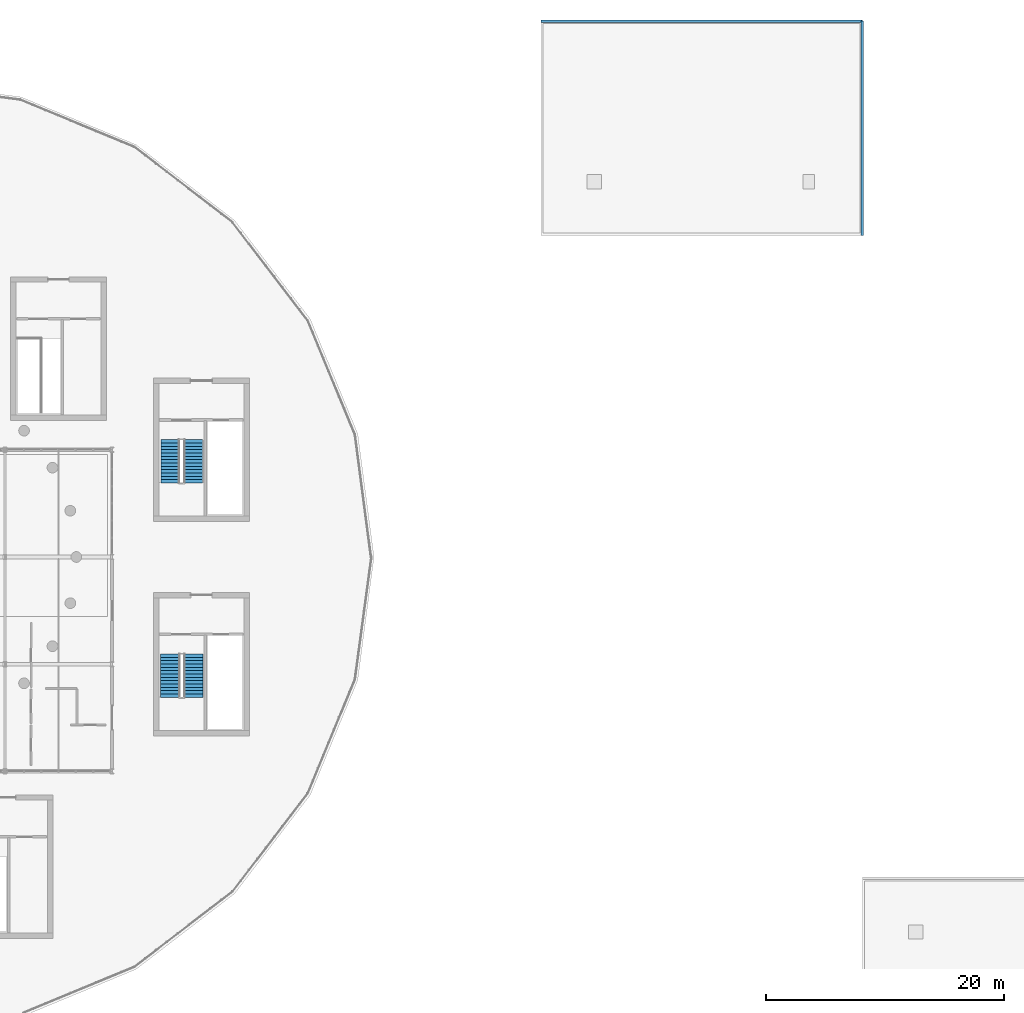
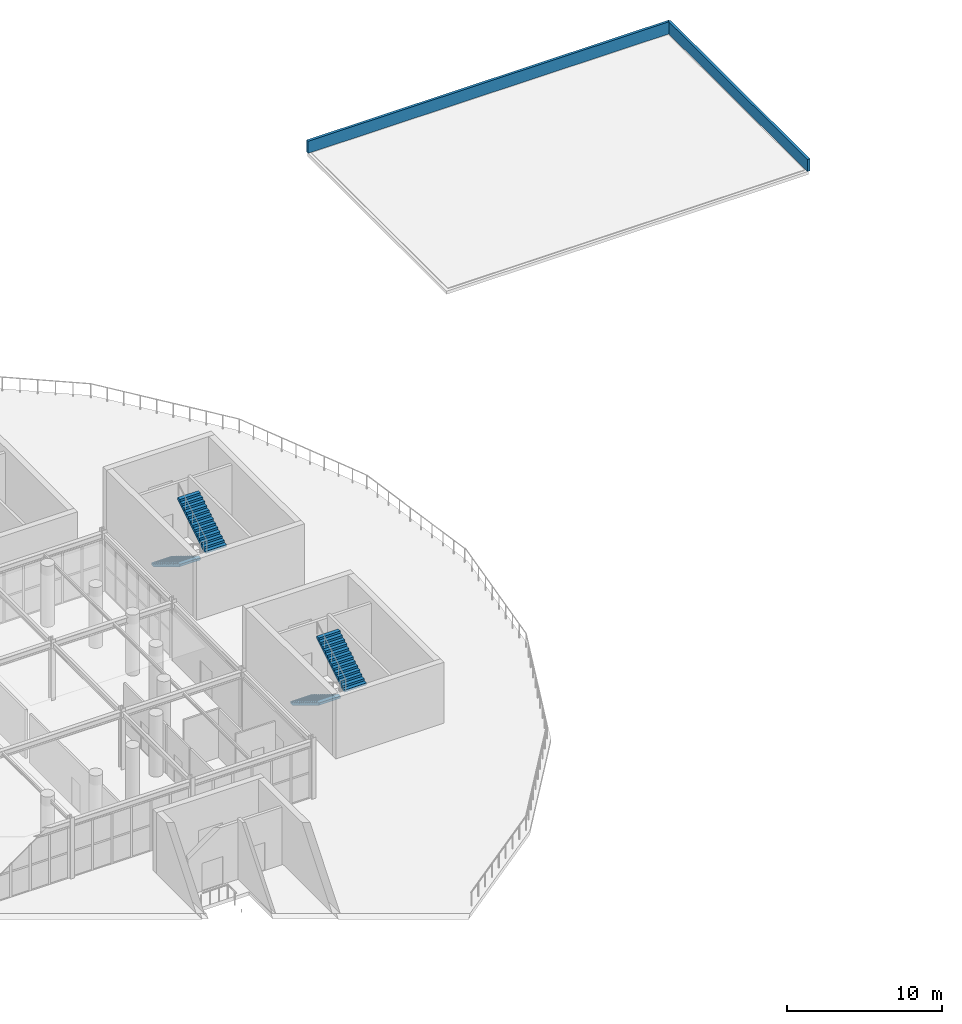
# One storey, part 24 of 29: 4 stair flights, 2 walls, 2 elements without a shape of their own.
"""IFC4 building model written with IfcOpenShell, lengths in metres."""

from ifc_helpers import new_model, si_unit, direction, frame, frame_2d, origin, place, context, subcontext, project, spatial, polyline, rectangle, outline, extrude, material, layer, layer_set, type_object, element, aggregate, save


model = new_model("IFC4")

# Units and contexts
model_context = context("Model", 3, precision=1e-05, world=origin(), true_north=direction((0.0, 1.0)))
body_context = subcontext(model_context, "Body", "Model", "MODEL_VIEW")
ifc_project = project(units=[si_unit("LENGTHUNIT", "METRE"), si_unit("AREAUNIT", "SQUARE_METRE"), si_unit("VOLUMEUNIT", "CUBIC_METRE"), si_unit("PLANEANGLEUNIT", "RADIAN"), si_unit("MASSUNIT", "GRAM", prefix="KILO")], contexts=[model_context])

# Site, building, storey
site_placement = place(None, origin())
site = spatial("IfcSite", under=ifc_project, at=site_placement, CompositionType="ELEMENT")
building_placement = place(site_placement, origin())
building = spatial("IfcBuilding", under=site, at=building_placement, Name="Dornveld Trade and Exhibition Forum", CompositionType="ELEMENT")
storey_placement = place(building_placement, frame((0.0, 0.0, 21.60009765625)))
storey = spatial("IfcBuildingStorey", under=building, at=storey_placement, Name="L04", CompositionType="ELEMENT", Elevation=21.60009765625)

# Walls
ifc_material_1 = material(Name="Precast concrete C50/60", Category="concrete")
ifc_layer_1 = layer(ifc_material_1, 0.18994140625)
ifc_layer_set_1 = layer_set([ifc_layer_1], Name="Precast concrete C50/60")
wall_type = type_object("IfcWallType", Name="WL-PAR-190", PredefinedType="PARAPET", material=ifc_layer_set_1)
wall_1_placement = place(storey_placement, frame((171.0, 126.0, 0.0), z_axis=(0.0, 0.0, 1.0), x_axis=(1.0, 0.0, 0.0)))
element("IfcWall", 1, at=wall_1_placement, inside=storey, type_object=wall_type, Name="L04 roof parapet 6", PredefinedType="PARAPET", context=body_context, shape_type="SweptSolid", body=[
    extrude(rectangle(XDim=27.0, YDim=0.18994140625, at=frame_2d((13.5, 0.0))), origin(), (0.0, 0.0, 1.0), 0.949951171875),
])
wall_2_placement = place(storey_placement, frame((198.0, 126.0, 0.0), z_axis=(0.0, 0.0, 1.0), x_axis=(0.0, -1.0, 0.0)))
element("IfcWall", 2, at=wall_2_placement, inside=storey, type_object=wall_type, Name="L04 roof parapet 7", PredefinedType="PARAPET", context=body_context, shape_type="SweptSolid", body=[
    extrude(rectangle(XDim=18.0, YDim=0.18994140625, at=frame_2d((9.0, 0.0))), origin(), (0.0, 0.0, 1.0), 0.949951171875),
])

# Stair, stair flights
ifc_material_2 = material(Name="Concrete C40/50", Category="concrete")
stair_type_1 = type_object("IfcStairType", Name="ST-2RET-480A", PredefinedType="HALF_TURN_STAIR", material=ifc_material_2)
stair_1_placement = place(storey_placement, origin())
stair_1 = element("IfcStair", 3, at=stair_1_placement, inside=storey, type_object=stair_type_1, Name="CORE-01 escape stair L04 to RF", PredefinedType="HALF_TURN_STAIR")
ifc_material_3 = material(Name="Concrete C40/50", Category="concrete")
ifc_layer_2 = layer(ifc_material_3, 0.179931640625)
ifc_layer_set_2 = layer_set([ifc_layer_2], Name="Concrete C40/50")
stair_flight_type_1 = type_object("IfcStairFlightType", Name="STF-155", PredefinedType="STRAIGHT", material=ifc_layer_set_2)
stair_flight_1_placement = place(storey_placement, frame((139.8798828125, 90.85009765625, 0.0), z_axis=(0.0, 0.0, 1.0), x_axis=(0.0, -1.0, 0.0)))
stair_flight_1 = element("IfcStairFlight", 4, at=stair_flight_1_placement, type_object=stair_flight_type_1, Name="ST-01-L04 flight 1", NumberOfRisers=14, NumberOfTreads=13, PredefinedType="STRAIGHT", RiserHeight=0.171428571, TreadLength=0.28, context=body_context, shape_type="SweptSolid", body=[
    extrude(outline(polyline([(0.0, 0.0), (0.0, 0.17138671875), (0.280029296875, 0.17138671875), (0.280029296875, 0.3427734375), (0.56005859375, 0.3427734375), (0.56005859375, 0.514404296875), (0.840087890625, 0.514404296875), (0.840087890625, 0.685791015625), (1.1201171875, 0.685791015625), (1.1201171875, 0.857177734375), (1.39990234375, 0.857177734375), (1.39990234375, 1.028564453125), (1.679931640625, 1.028564453125), (1.679931640625, 1.199951171875), (1.9599609375, 1.199951171875), (1.9599609375, 1.371337890625), (2.239990234375, 1.371337890625), (2.239990234375, 1.54296875), (2.52001953125, 1.54296875), (2.52001953125, 1.71435546875), (2.800048828125, 1.71435546875), (2.800048828125, 1.8857421875), (3.080078125, 1.8857421875), (3.080078125, 2.05712890625), (3.360107421875, 2.05712890625), (3.360107421875, 2.228515625), (3.639892578125, 2.228515625), (3.639892578125, 2.39990234375), (3.639892578125, 2.041015625), (0.30615234375, 0.0), (0.0, 0.0)])), frame((0.0, 0.77490234375, 0.0), z_axis=(0.0, -1.0, 0.0), x_axis=(1.0, 0.0, 0.0)), (0.0, 0.0, 1.0), 1.550048828125),
])
stair_flight_2_placement = place(storey_placement, frame((141.820068359375, 87.2099609375, 2.39990234375), z_axis=(0.0, 0.0, 1.0), x_axis=(0.0, 1.0, 0.0)))
stair_flight_2 = element("IfcStairFlight", 5, at=stair_flight_2_placement, type_object=stair_flight_type_1, Name="ST-01-L04 flight 2", NumberOfRisers=14, NumberOfTreads=13, PredefinedType="STRAIGHT", RiserHeight=0.171428571, TreadLength=0.28, context=body_context, shape_type="SweptSolid", body=[
    extrude(outline(polyline([(0.0, 0.0), (0.0, 0.17138671875), (0.280029296875, 0.17138671875), (0.280029296875, 0.3427734375), (0.56005859375, 0.3427734375), (0.56005859375, 0.514404296875), (0.840087890625, 0.514404296875), (0.840087890625, 0.685791015625), (1.1201171875, 0.685791015625), (1.1201171875, 0.857177734375), (1.39990234375, 0.857177734375), (1.39990234375, 1.028564453125), (1.679931640625, 1.028564453125), (1.679931640625, 1.199951171875), (1.9599609375, 1.199951171875), (1.9599609375, 1.371337890625), (2.239990234375, 1.371337890625), (2.239990234375, 1.54296875), (2.52001953125, 1.54296875), (2.52001953125, 1.71435546875), (2.800048828125, 1.71435546875), (2.800048828125, 1.8857421875), (3.080078125, 1.8857421875), (3.080078125, 2.05712890625), (3.360107421875, 2.05712890625), (3.360107421875, 2.228515625), (3.639892578125, 2.228515625), (3.639892578125, 2.39990234375), (3.639892578125, 2.041015625), (0.30615234375, 0.0), (0.0, 0.0)])), frame((0.0, 0.77490234375, 0.0), z_axis=(0.0, -1.0, 0.0), x_axis=(1.0, 0.0, 0.0)), (0.0, 0.0, 1.0), 1.550048828125),
])
aggregate(stair_1, [stair_flight_1, stair_flight_2])

ifc_material_4 = material(Name="Concrete C40/50", Category="concrete")
stair_type_2 = type_object("IfcStairType", Name="ST-2RET-480B", PredefinedType="HALF_TURN_STAIR", material=ifc_material_4)
stair_2_placement = place(storey_placement, origin())
stair_2 = element("IfcStair", 6, at=stair_2_placement, inside=storey, type_object=stair_type_2, Name="CORE-08 escape stair L04 to RF", PredefinedType="HALF_TURN_STAIR")
ifc_material_5 = material(Name="Concrete C40/50", Category="concrete")
ifc_layer_3 = layer(ifc_material_5, 0.179931640625)
ifc_layer_set_3 = layer_set([ifc_layer_3], Name="Concrete C40/50")
stair_flight_type_2 = type_object("IfcStairFlightType", Name="STF-162", PredefinedType="STRAIGHT", material=ifc_layer_set_3)
stair_flight_3_placement = place(storey_placement, frame((139.8798828125, 72.85009765625, 0.0), z_axis=(0.0, 0.0, 1.0), x_axis=(0.0, -1.0, 0.0)))
stair_flight_3 = element("IfcStairFlight", 7, at=stair_flight_3_placement, type_object=stair_flight_type_2, Name="ST-08-L04 flight 1", NumberOfRisers=14, NumberOfTreads=13, PredefinedType="STRAIGHT", RiserHeight=0.171428571, TreadLength=0.28, context=body_context, shape_type="SweptSolid", body=[
    extrude(outline(polyline([(0.0, 0.0), (0.0, 0.17138671875), (0.280029296875, 0.17138671875), (0.280029296875, 0.3427734375), (0.56005859375, 0.3427734375), (0.56005859375, 0.514404296875), (0.840087890625, 0.514404296875), (0.840087890625, 0.685791015625), (1.1201171875, 0.685791015625), (1.1201171875, 0.857177734375), (1.39990234375, 0.857177734375), (1.39990234375, 1.028564453125), (1.679931640625, 1.028564453125), (1.679931640625, 1.199951171875), (1.9599609375, 1.199951171875), (1.9599609375, 1.371337890625), (2.239990234375, 1.371337890625), (2.239990234375, 1.54296875), (2.52001953125, 1.54296875), (2.52001953125, 1.71435546875), (2.800048828125, 1.71435546875), (2.800048828125, 1.8857421875), (3.080078125, 1.8857421875), (3.080078125, 2.05712890625), (3.360107421875, 2.05712890625), (3.360107421875, 2.228515625), (3.639892578125, 2.228515625), (3.639892578125, 2.39990234375), (3.639892578125, 2.041015625), (0.30615234375, 0.0), (0.0, 0.0)])), frame((0.0, 0.81005859375, 0.0), z_axis=(0.0, -1.0, 0.0), x_axis=(1.0, 0.0, 0.0)), (0.0, 0.0, 1.0), 1.6201171875),
])
stair_flight_4_placement = place(storey_placement, frame((141.820068359375, 69.2099609375, 2.39990234375), z_axis=(0.0, 0.0, 1.0), x_axis=(0.0, 1.0, 0.0)))
stair_flight_4 = element("IfcStairFlight", 8, at=stair_flight_4_placement, type_object=stair_flight_type_2, Name="ST-08-L04 flight 2", NumberOfRisers=14, NumberOfTreads=13, PredefinedType="STRAIGHT", RiserHeight=0.171428571, TreadLength=0.28, context=body_context, shape_type="SweptSolid", body=[
    extrude(outline(polyline([(0.0, 0.0), (0.0, 0.17138671875), (0.280029296875, 0.17138671875), (0.280029296875, 0.3427734375), (0.56005859375, 0.3427734375), (0.56005859375, 0.514404296875), (0.840087890625, 0.514404296875), (0.840087890625, 0.685791015625), (1.1201171875, 0.685791015625), (1.1201171875, 0.857177734375), (1.39990234375, 0.857177734375), (1.39990234375, 1.028564453125), (1.679931640625, 1.028564453125), (1.679931640625, 1.199951171875), (1.9599609375, 1.199951171875), (1.9599609375, 1.371337890625), (2.239990234375, 1.371337890625), (2.239990234375, 1.54296875), (2.52001953125, 1.54296875), (2.52001953125, 1.71435546875), (2.800048828125, 1.71435546875), (2.800048828125, 1.8857421875), (3.080078125, 1.8857421875), (3.080078125, 2.05712890625), (3.360107421875, 2.05712890625), (3.360107421875, 2.228515625), (3.639892578125, 2.228515625), (3.639892578125, 2.39990234375), (3.639892578125, 2.041015625), (0.30615234375, 0.0), (0.0, 0.0)])), frame((0.0, 0.81005859375, 0.0), z_axis=(0.0, -1.0, 0.0), x_axis=(1.0, 0.0, 0.0)), (0.0, 0.0, 1.0), 1.6201171875),
])
aggregate(stair_2, [stair_flight_3, stair_flight_4])

save(model, "model.ifc")
